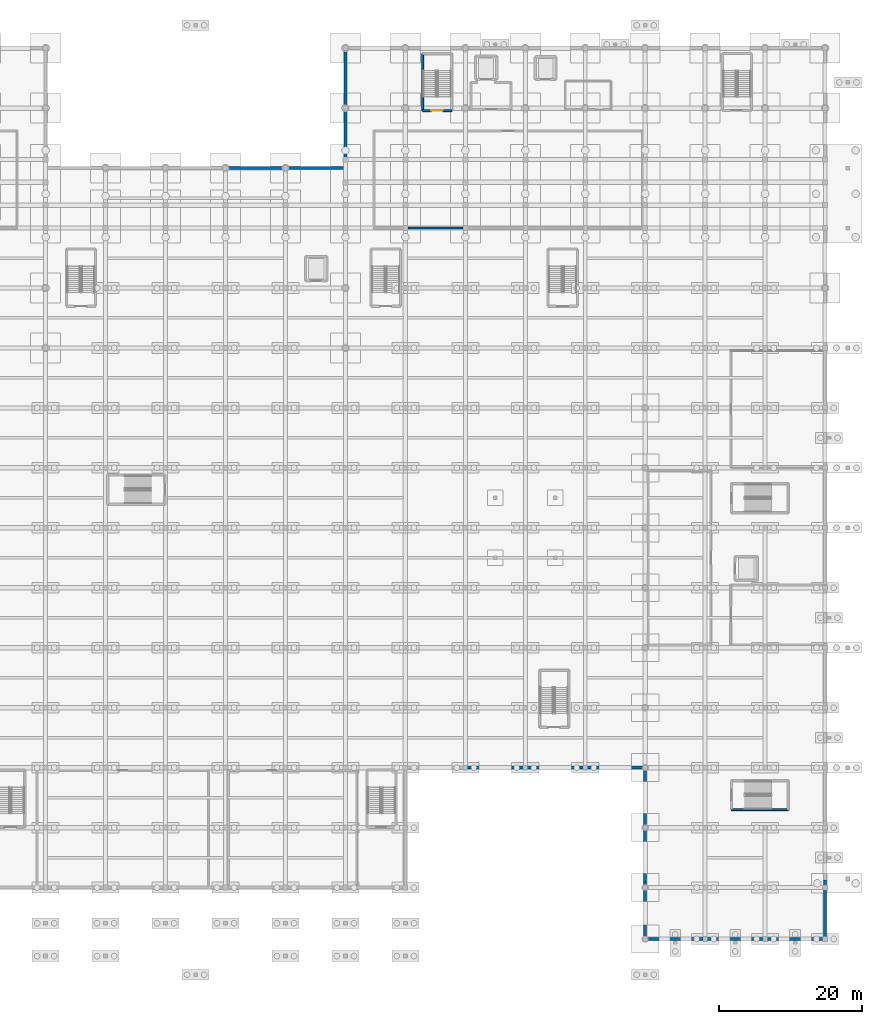
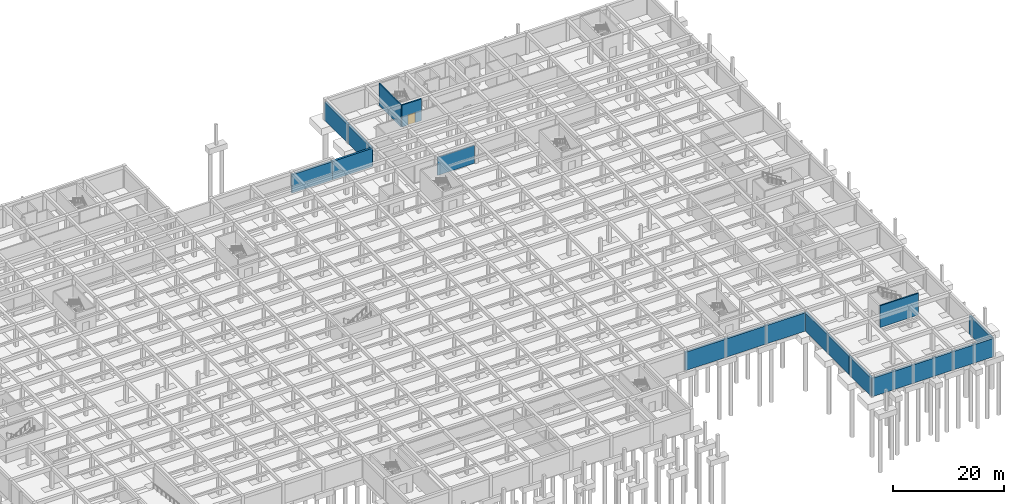
# One storey, part 28 of 51: 18 walls, 1 door, 1 opening.
"""IFC4 building model written with IfcOpenShell, lengths in metres."""

from ifc_helpers import new_model, si_unit, direction, frame, frame_2d, origin, place, context, subcontext, project, spatial, rectangle, extrude, material, layer, layer_set, type_object, element, fill, save


model = new_model("IFC4")

# Units and contexts
model_context = context("Model", 3, precision=1e-05, world=origin(), true_north=direction((0.0, 1.0)))
body_context = subcontext(model_context, "Body", "Model", "MODEL_VIEW")
ifc_project = project(units=[si_unit("LENGTHUNIT", "METRE"), si_unit("AREAUNIT", "SQUARE_METRE"), si_unit("VOLUMEUNIT", "CUBIC_METRE"), si_unit("PLANEANGLEUNIT", "RADIAN"), si_unit("MASSUNIT", "GRAM", prefix="KILO")], contexts=[model_context])

# Site, building, storey
site_placement = place(None, origin())
site = spatial("IfcSite", under=ifc_project, at=site_placement, CompositionType="ELEMENT")
building_placement = place(site_placement, origin())
building = spatial("IfcBuilding", under=site, at=building_placement, Name="Varncliffe General Hospital", CompositionType="ELEMENT")
storey_placement = place(building_placement, frame((0.0, 0.0, -4.800048828125)))
storey = spatial("IfcBuildingStorey", under=building, at=storey_placement, Name="B1", CompositionType="ELEMENT", Elevation=-4.800048828125)

# Walls
ifc_material_1 = material(Name="Concrete C40/50 (CSA A23.1 40 MPa)", Category="concrete")
ifc_layer_1 = layer(ifc_material_1, 0.419921875)
ifc_layer_set_1 = layer_set([ifc_layer_1], Name="Concrete C40/50 (CSA A23.1 40 MPa)")
wall_type_1 = type_object("IfcWallType", Name="Exterior Insulated Stucco Wall EW28 (420mm)", PredefinedType="SOLIDWALL", material=ifc_layer_set_1)
wall_1_placement = place(storey_placement, frame((92.39990234375, 108.0, 0.0), z_axis=(0.0, 0.0, 1.0), x_axis=(1.0, 0.0, 0.0)))
element("IfcWall", 1, at=wall_1_placement, inside=storey, type_object=wall_type_1, Name="B1 Perimeter Retaining Wall 24", PredefinedType="SOLIDWALL", context=body_context, shape_type="SweptSolid", body=[
    extrude(rectangle(XDim=8.400146484375, YDim=0.419921875, at=frame_2d((4.2001953125, 0.0))), origin(), (0.0, 0.0, 1.0), 4.050048828125),
])
for number, where, z_axis, x_axis, name in (
    (2, (100.800048828125, 108.0, 0.0), (0.0, 0.0, 1.0), (1.0, 0.0, 0.0), "B1 Perimeter Retaining Wall 25"),
    (3, (109.199951171875, 108.0, 0.0), (0.0, 0.0, 1.0), (0.0, 1.0, 0.0), "B1 Perimeter Retaining Wall 26"),
):
    element("IfcWall", number, at=place(storey_placement, frame(where, z_axis=z_axis, x_axis=x_axis)), inside=storey, type_object=wall_type_1, Name=name, PredefinedType="SOLIDWALL", context=body_context, shape_type="SweptSolid", body=[
        extrude(rectangle(XDim=8.39990234375, YDim=0.419921875, at=frame_2d((4.199951171875, 0.0))), origin(), (0.0, 0.0, 1.0), 4.050048828125),
    ])
wall_2_placement = place(storey_placement, frame((109.199951171875, 116.39990234375, 0.0), z_axis=(0.0, 0.0, 1.0), x_axis=(0.0, 1.0, 0.0)))
element("IfcWall", 4, at=wall_2_placement, inside=storey, type_object=wall_type_1, Name="B1 Perimeter Retaining Wall 27", PredefinedType="SOLIDWALL", context=body_context, shape_type="SweptSolid", body=[
    extrude(rectangle(XDim=8.400146484375, YDim=0.419921875, at=frame_2d((4.2001953125, 0.0))), origin(), (0.0, 0.0, 1.0), 4.050048828125),
])
wall_3_placement = place(storey_placement, frame((176.39990234375, 8.280029296875, 0.0), z_axis=(0.0, 0.0, 1.0), x_axis=(0.0, -1.0, 0.0)))
element("IfcWall", 5, at=wall_3_placement, inside=storey, type_object=wall_type_1, Name="B1 Perimeter Retaining Wall 50", PredefinedType="SOLIDWALL", context=body_context, shape_type="SweptSolid", body=[
    extrude(rectangle(XDim=8.280029296875, YDim=0.419921875, at=frame_2d((4.14013671875, 0.0))), origin(), (0.0, 0.0, 1.0), 4.050048828125),
])
for number, where, z_axis, x_axis, name in (
    (6, (176.39990234375, 0.0, 0.0), (0.0, 0.0, 1.0), (-1.0, 0.0, 0.0), "B1 Perimeter Retaining Wall 51"),
    (7, (168.0, 0.0, 0.0), (0.0, 0.0, 1.0), (-1.0, 0.0, 0.0), "B1 Perimeter Retaining Wall 52"),
):
    element("IfcWall", number, at=place(storey_placement, frame(where, z_axis=z_axis, x_axis=x_axis)), inside=storey, type_object=wall_type_1, Name=name, PredefinedType="SOLIDWALL", context=body_context, shape_type="SweptSolid", body=[
        extrude(rectangle(XDim=8.39990234375, YDim=0.419921875, at=frame_2d((4.199951171875, 0.0))), origin(), (0.0, 0.0, 1.0), 4.050048828125),
    ])
wall_4_placement = place(storey_placement, frame((159.60009765625, 0.0, 0.0), z_axis=(0.0, 0.0, 1.0), x_axis=(-1.0, 0.0, 0.0)))
element("IfcWall", 8, at=wall_4_placement, inside=storey, type_object=wall_type_1, Name="B1 Perimeter Retaining Wall 53", PredefinedType="SOLIDWALL", context=body_context, shape_type="SweptSolid", body=[
    extrude(rectangle(XDim=8.400146484375, YDim=0.419921875, at=frame_2d((4.2001953125, 0.0))), origin(), (0.0, 0.0, 1.0), 4.050048828125),
])
for number, where, z_axis, x_axis, name in (
    (9, (151.199951171875, 0.0, 0.0), (0.0, 0.0, 1.0), (0.0, 1.0, 0.0), "B1 Perimeter Retaining Wall 54"),
    (10, (151.199951171875, 8.0, 0.0), (0.0, 0.0, 1.0), (0.0, 1.0, 0.0), "B1 Perimeter Retaining Wall 55"),
    (11, (151.199951171875, 16.0, 0.0), (0.0, 0.0, 1.0), (0.0, 1.0, 0.0), "B1 Perimeter Retaining Wall 56"),
):
    element("IfcWall", number, at=place(storey_placement, frame(where, z_axis=z_axis, x_axis=x_axis)), inside=storey, type_object=wall_type_1, Name=name, PredefinedType="SOLIDWALL", context=body_context, shape_type="SweptSolid", body=[
        extrude(rectangle(XDim=8.0, YDim=0.419921875, at=frame_2d((4.0, 0.0))), origin(), (0.0, 0.0, 1.0), 4.050048828125),
    ])
wall_5_placement = place(storey_placement, frame((151.199951171875, 24.0, 0.0), z_axis=(0.0, 0.0, 1.0), x_axis=(-1.0, 0.0, 0.0)))
element("IfcWall", 12, at=wall_5_placement, inside=storey, type_object=wall_type_1, Name="B1 Perimeter Retaining Wall 57", PredefinedType="SOLIDWALL", context=body_context, shape_type="SweptSolid", body=[
    extrude(rectangle(XDim=8.39990234375, YDim=0.419921875, at=frame_2d((4.199951171875, 0.0))), origin(), (0.0, 0.0, 1.0), 4.050048828125),
])
wall_6_placement = place(storey_placement, frame((142.800048828125, 24.0, 0.0), z_axis=(0.0, 0.0, 1.0), x_axis=(-1.0, 0.0, 0.0)))
element("IfcWall", 13, at=wall_6_placement, inside=storey, type_object=wall_type_1, Name="B1 Perimeter Retaining Wall 58", PredefinedType="SOLIDWALL", context=body_context, shape_type="SweptSolid", body=[
    extrude(rectangle(XDim=8.400146484375, YDim=0.419921875, at=frame_2d((4.2001953125, 0.0))), origin(), (0.0, 0.0, 1.0), 4.050048828125),
])
wall_7_placement = place(storey_placement, frame((134.39990234375, 24.0, 0.0), z_axis=(0.0, 0.0, 1.0), x_axis=(-1.0, 0.0, 0.0)))
element("IfcWall", 14, at=wall_7_placement, inside=storey, type_object=wall_type_1, Name="B1 Perimeter Retaining Wall 59", PredefinedType="SOLIDWALL", context=body_context, shape_type="SweptSolid", body=[
    extrude(rectangle(XDim=8.39990234375, YDim=0.419921875, at=frame_2d((4.199951171875, 0.0))), origin(), (0.0, 0.0, 1.0), 4.050048828125),
])
ifc_material_2 = material(Name="Fire-rated gypsum and mineral-wool partition assembly", Category="gypsum")
ifc_layer_2 = layer(ifc_material_2, 0.22998046875)
ifc_layer_set_2 = layer_set([ifc_layer_2], Name="Fire-rated gypsum and mineral-wool partition assembly")
wall_type_2 = type_object("IfcWallType", Name="Interior Partitioning PW48 (230mm)", PredefinedType="PARTITIONING", material=ifc_layer_set_2)
wall_8_placement = place(storey_placement, frame((117.965087890625, 99.60009765625, 0.0), z_axis=(0.0, 0.0, 1.0), x_axis=(1.0, 0.0, 0.0)))
element("IfcWall", 15, at=wall_8_placement, inside=storey, type_object=wall_type_2, Name="B1 Interior Partition Wall PW48-24", PredefinedType="PARTITIONING", context=body_context, shape_type="SweptSolid", body=[
    extrude(rectangle(XDim=7.669921875, YDim=0.22998046875, at=frame_2d((3.8349609375, 0.0))), origin(), (0.0, 0.0, 1.0), 3.985107421875),
])
ifc_layer_3 = layer(ifc_material_1, 0.280029296875)
ifc_layer_set_3 = layer_set([ifc_layer_3], Name="Concrete C40/50 (CSA A23.1 40 MPa)")
wall_type_3 = type_object("IfcWallType", Name="Reinforced Concrete Core Shear Wall CW13 (280mm)", PredefinedType="SHEAR", material=ifc_layer_set_3)
wall_9_placement = place(storey_placement, frame((120.010009765625, 124.0400390625, 0.0), z_axis=(0.0, 0.0, 1.0), x_axis=(0.0, -1.0, 0.0)))
element("IfcWall", 16, at=wall_9_placement, inside=storey, type_object=wall_type_3, Name="B1 ST03 Core Shear Wall R", PredefinedType="SHEAR", context=body_context, shape_type="SweptSolid", body=[
    extrude(rectangle(XDim=7.97998046875, YDim=0.280029296875, at=frame_2d((3.989990234375, 0.0))), origin(), (0.0, 0.0, 1.0), 4.800048828125),
])

# Wall, opening, door
wall_10_placement = place(storey_placement, frame((120.010009765625, 116.06005859375, 0.0), z_axis=(0.0, 0.0, 1.0), x_axis=(1.0, 0.0, 0.0)))
wall_10 = element("IfcWall", 17, at=wall_10_placement, inside=storey, type_object=wall_type_3, Name="B1 ST03 Core Shear Wall N", PredefinedType="SHEAR", context=body_context, shape_type="SweptSolid", body=[
    extrude(rectangle(XDim=4.080078125, YDim=0.280029296875, at=frame_2d((2.0400390625, 0.0))), origin(), (0.0, 0.0, 1.0), 4.800048828125),
])
opening_placement = place(wall_10_placement, frame((1.239990234375, 0.0, 0.0)))
opening = element("IfcOpeningElement", 18, at=opening_placement, cuts=wall_10, Name="Opening DF27", PredefinedType="OPENING", context=body_context, shape_type="SweptSolid", body=[
    extrude(rectangle(XDim=1.60009765625, YDim=2.25, at=frame_2d((0.800048828125, 1.125))), frame((0.0, 0.14990234375, 0.0), z_axis=(0.0, -1.0, 0.0), x_axis=(1.0, 0.0, 0.0)), (0.0, 0.0, 1.0), 0.300048828125),
])
ifc_material_3 = material(Name="Fire-rated hospital steel-frame vision-panel door", Category="steel")
door_type = type_object("IfcDoorType", Name="Interior Hospital Door DF27 (1600x2250)", OperationType="NOTDEFINED", PredefinedType="DOOR", material=ifc_material_3)
door_placement = place(opening_placement, frame((1.60009765625, 0.0, 0.0), z_axis=(0.0, 0.0, 1.0), x_axis=(-1.0, 0.0, 0.0)))
door = element("IfcDoor", 19, at=door_placement, inside=storey, type_object=door_type, Name="B1 ST03 Protected Exit Stair Door", OperationType="SINGLE_SWING_LEFT", OverallHeight=2.25, OverallWidth=1.60009765625, PredefinedType="DOOR", context=body_context, shape_type="SweptSolid", body=[
    extrude(rectangle(XDim=1.60009765625, YDim=2.25, at=frame_2d((0.800048828125, 1.125))), frame((0.0, 0.02490234375, 0.0), z_axis=(0.0, -1.0, 0.0), x_axis=(1.0, 0.0, 0.0)), (0.0, 0.0, 1.0), 0.050048828125),
])
fill(opening, door)

# Wall
wall_11_placement = place(storey_placement, frame((163.260009765625, 18.110107421875, 0.0), z_axis=(0.0, 0.0, 1.0), x_axis=(1.0, 0.0, 0.0)))
element("IfcWall", 20, at=wall_11_placement, inside=storey, type_object=wall_type_3, Name="B1 ST11 Core Shear Wall L", PredefinedType="SHEAR", context=body_context, shape_type="SweptSolid", body=[
    extrude(rectangle(XDim=7.97998046875, YDim=0.280029296875, at=frame_2d((3.989990234375, 0.0))), origin(), (0.0, 0.0, 1.0), 4.800048828125),
])

save(model, "model.ifc")
